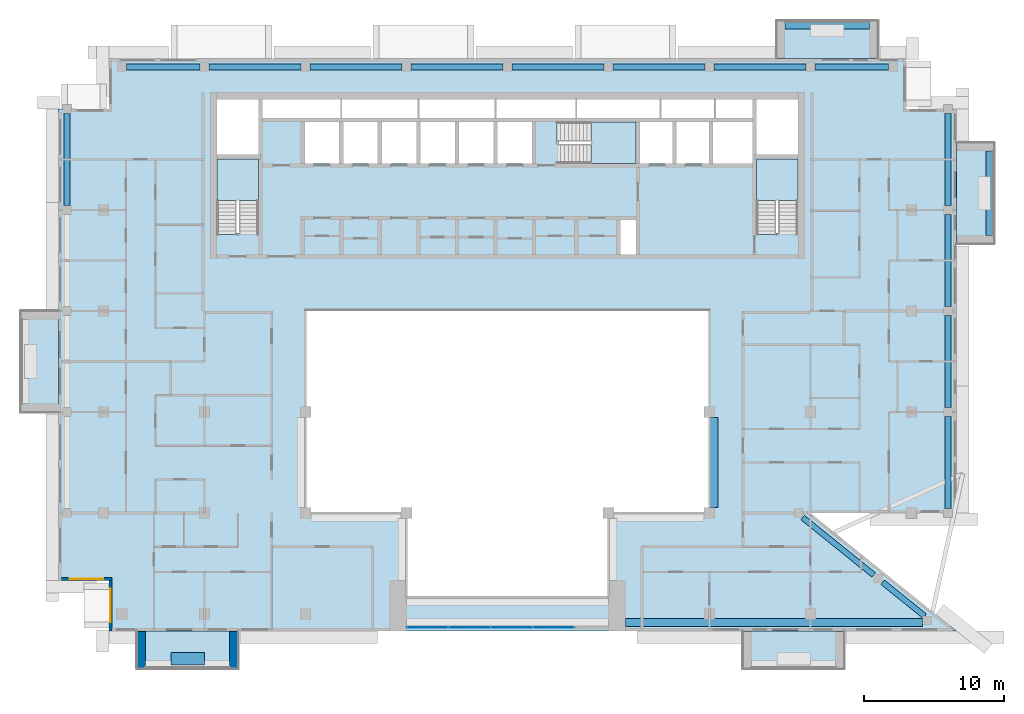
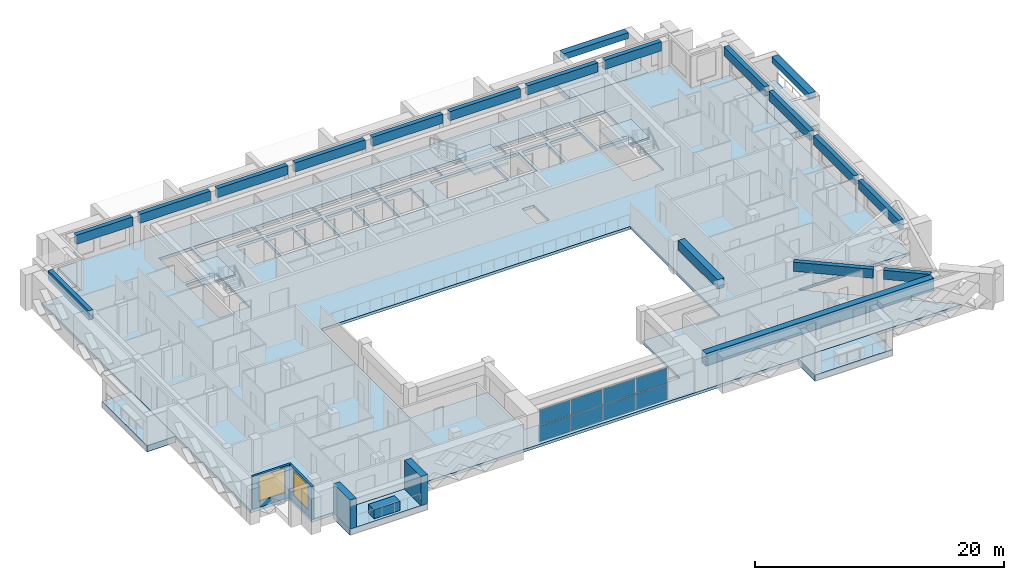
# One storey, part 5 of 19: 19 beams, 9 slabs, 8 plates, 5 walls, 2 windows, 2 openings, 4 elements without a shape of their own.
"""IFC4 building model written with IfcOpenShell, lengths in metres."""

from ifc_helpers import new_model, si_unit, direction, frame, frame_2d, origin, origin_2d, place, context, subcontext, project, spatial, polyline, rectangle, outline, extrude, source, transform, mapped, material, layer, layer_set, material_profile, profile_set, type_object, element, fill, aggregate, save


model = new_model("IFC4")

# Units and contexts
model_context = context("Model", 3, precision=1e-05, world=origin(), true_north=direction((0.0, 1.0)))
body_context = subcontext(model_context, "Body", "Model", "MODEL_VIEW")
ifc_project = project(units=[si_unit("LENGTHUNIT", "METRE"), si_unit("AREAUNIT", "SQUARE_METRE"), si_unit("VOLUMEUNIT", "CUBIC_METRE"), si_unit("PLANEANGLEUNIT", "RADIAN"), si_unit("MASSUNIT", "GRAM", prefix="KILO")], contexts=[model_context])

# Site, building, storey
site_placement = place(None, origin())
site = spatial("IfcSite", under=ifc_project, at=site_placement, CompositionType="ELEMENT")
building_placement = place(site_placement, origin())
building = spatial("IfcBuilding", under=site, at=building_placement, Name="Saffron Iwan Residences", CompositionType="ELEMENT")
storey_placement = place(building_placement, frame((0.0, 0.0, 236.0)))
storey = spatial("IfcBuildingStorey", under=building, at=storey_placement, Name="L63", CompositionType="ELEMENT", Elevation=236.0)

# Beams
ifc_material_1 = material(Name="Concrete C40/50", Category="concrete")
ifc_material_profile_1 = material_profile(ifc_material_1, rectangle(XDim=0.39990234375, YDim=0.89990234375, at=origin_2d()), Name="RC 400x900")
ifc_profile_set_1 = profile_set([ifc_material_profile_1], Name="Concrete C40/50")
beam_type_1 = type_object("IfcBeamType", Name="SPANDREL BEAM RC 400x900 C40/50 TOP 3220", PredefinedType="SPANDREL", material=ifc_profile_set_1)
shared_shape_1 = source(origin(), body_context, "Body", "SweptSolid", [
    extrude(rectangle(XDim=0.39990234375, YDim=0.89990234375, at=origin_2d()), origin(), (0.0, 0.0, 1.0), 3.839599609375),
])
beam_1_placement = place(storey_placement, frame((77.14794921875, 43.07080078125, 2.77001953125), z_axis=(0.777944766372, -0.628332667044, 0.0), x_axis=(0.628332667044, 0.777944766372, 0.0)))
element("IfcBeam", 1, at=beam_1_placement, inside=storey, type_object=beam_type_1, Name="Spandrel beam", PredefinedType="SPANDREL", context=body_context, shape_type="MappedRepresentation", body=[
    mapped(shared_shape_1, transform((0.0, 0.0, 0.0))),
])
shared_shape_2 = source(origin(), body_context, "Body", "SweptSolid", [
    extrude(rectangle(XDim=0.39990234375, YDim=0.89990234375, at=origin_2d()), origin(), (0.0, 0.0, 1.0), 6.4921875),
])
beam_2_placement = place(storey_placement, frame((71.447509765625, 47.675048828125, 2.77001953125), z_axis=(0.777936231257, -0.628343234305, 0.0), x_axis=(0.628343234305, 0.777936231257, 0.0)))
element("IfcBeam", 2, at=beam_2_placement, inside=storey, type_object=beam_type_1, Name="Spandrel beam", PredefinedType="SPANDREL", context=body_context, shape_type="MappedRepresentation", body=[
    mapped(shared_shape_2, transform((0.0, 0.0, 0.0))),
])
shared_shape_3 = source(origin(), body_context, "Body", "SweptSolid", [
    extrude(rectangle(XDim=0.39990234375, YDim=0.89990234375, at=origin_2d()), origin(), (0.0, 0.0, 1.0), 6.550048828125),
])
for number, where, z_axis, x_axis, name in (
    (3, (81.800048828125, 54.875, 2.77001953125), (0.0, -1.0, 0.0), (1.0, 0.0, 0.0), "Spandrel beam"),
    (4, (81.800048828125, 62.074951171875, 2.77001953125), (0.0, -1.0, 0.0), (1.0, 0.0, 0.0), "Spandrel beam"),
    (5, (19.0, 69.925048828125, 2.77001953125), (0.0, 1.0, 0.0), (-1.0, 0.0, 0.0), "Spandrel beam"),
    (6, (81.800048828125, 76.47509765625, 2.77001953125), (0.0, -1.0, 0.0), (1.0, 0.0, 0.0), "Spandrel beam"),
    (7, (29.125, 79.800048828125, 2.77001953125), (1.0, 0.0, 0.0), (0.0, 1.0, 0.0), "Spandrel beam"),
    (8, (36.324951171875, 79.800048828125, 2.77001953125), (1.0, 0.0, 0.0), (0.0, 1.0, 0.0), "Spandrel beam"),
    (9, (43.52490234375, 79.800048828125, 2.77001953125), (1.0, 0.0, 0.0), (0.0, 1.0, 0.0), "Spandrel beam"),
    (10, (57.925048828125, 79.800048828125, 2.77001953125), (1.0, 0.0, 0.0), (0.0, 1.0, 0.0), "Spandrel beam"),
    (11, (65.125, 79.800048828125, 2.77001953125), (1.0, 0.0, 0.0), (0.0, 1.0, 0.0), "Spandrel beam"),
):
    element("IfcBeam", number, at=place(storey_placement, frame(where, z_axis=z_axis, x_axis=x_axis)), inside=storey, type_object=beam_type_1, Name=name, PredefinedType="SPANDREL", context=body_context, shape_type="MappedRepresentation", body=[
        mapped(shared_shape_3, transform((0.0, 0.0, 0.0))),
    ])
shared_shape_4 = source(origin(), body_context, "Body", "SweptSolid", [
    extrude(rectangle(XDim=0.39990234375, YDim=0.89990234375, at=origin_2d()), origin(), (0.0, 0.0, 1.0), 6.5498046875),
])
for number, where, z_axis, x_axis, name in (
    (12, (81.800048828125, 69.27490234375, 2.77001953125), (0.0, -1.0, 0.0), (1.0, 0.0, 0.0), "Spandrel beam"),
    (13, (50.72509765625, 79.800048828125, 2.77001953125), (1.0, 0.0, 0.0), (0.0, 1.0, 0.0), "Spandrel beam"),
):
    element("IfcBeam", number, at=place(storey_placement, frame(where, z_axis=z_axis, x_axis=x_axis)), inside=storey, type_object=beam_type_1, Name=name, PredefinedType="SPANDREL", context=body_context, shape_type="MappedRepresentation", body=[
        mapped(shared_shape_4, transform((0.0, 0.0, 0.0))),
    ])
shared_shape_5 = source(origin(), body_context, "Body", "SweptSolid", [
    extrude(rectangle(XDim=0.39990234375, YDim=0.89990234375, at=origin_2d()), origin(), (0.0, 0.0, 1.0), 5.25),
])
for number, where, z_axis, x_axis, name in (
    (14, (23.22509765625, 79.800048828125, 2.77001953125), (1.0, 0.0, 0.0), (0.0, 1.0, 0.0), "Spandrel beam"),
    (15, (72.324951171875, 79.800048828125, 2.77001953125), (1.0, 0.0, 0.0), (0.0, 1.0, 0.0), "Spandrel beam"),
):
    element("IfcBeam", number, at=place(storey_placement, frame(where, z_axis=z_axis, x_axis=x_axis)), inside=storey, type_object=beam_type_1, Name=name, PredefinedType="SPANDREL", context=body_context, shape_type="MappedRepresentation", body=[
        mapped(shared_shape_5, transform((0.0, 0.0, 0.0))),
    ])
ifc_material_profile_2 = material_profile(ifc_material_1, rectangle(XDim=0.60009765625, YDim=1.199951171875, at=origin_2d()), Name="RC 600x1200")
ifc_profile_set_2 = profile_set([ifc_material_profile_2], Name="Concrete C40/50")
beam_type_2 = type_object("IfcBeamType", Name="LINTEL BEAM RC 600x1200 C40/50 TOP 3220", PredefinedType="LINTEL", material=ifc_profile_set_2)
shared_shape_6 = source(origin(), body_context, "Body", "SweptSolid", [
    extrude(rectangle(XDim=0.60009765625, YDim=1.199951171875, at=origin_2d()), origin(), (0.0, 0.0, 1.0), 21.20068359375),
])
beam_3_placement = place(storey_placement, frame((80.000732421875, 40.199951171875, 2.6201171875), z_axis=(-1.0, 0.0, 0.0), x_axis=(0.0, -1.0, 0.0)))
element("IfcBeam", 16, at=beam_3_placement, inside=storey, type_object=beam_type_2, Name="Lintel beam over the iwan", PredefinedType="LINTEL", context=body_context, shape_type="MappedRepresentation", body=[
    mapped(shared_shape_6, transform((0.0, 0.0, 0.0))),
])
ifc_material_profile_3 = material_profile(ifc_material_1, rectangle(XDim=0.60009765625, YDim=0.89990234375, at=origin_2d()), Name="RC 600x900")
ifc_profile_set_3 = profile_set([ifc_material_profile_3], Name="Concrete C40/50")
beam_type_3 = type_object("IfcBeamType", Name="BEAM RC 600x900 C40/50 TOP 3220", PredefinedType="BEAM", material=ifc_profile_set_3)
shared_shape_7 = source(origin(), body_context, "Body", "SweptSolid", [
    extrude(rectangle(XDim=0.60009765625, YDim=0.89990234375, at=origin_2d()), origin(), (0.0, 0.0, 1.0), 6.400146484375),
])
beam_4_placement = place(storey_placement, frame((65.10009765625, 54.800048828125, 2.77001953125), z_axis=(0.0, -1.0, 0.0), x_axis=(1.0, 0.0, 0.0)))
element("IfcBeam", 17, at=beam_4_placement, inside=storey, type_object=beam_type_3, Name="Atrium edge beam", PredefinedType="BEAM", context=body_context, shape_type="MappedRepresentation", body=[
    mapped(shared_shape_7, transform((0.0, 0.0, 0.0))),
])
ifc_material_2 = material(Name="Concrete C50/60 white painted", Category="concrete")
ifc_material_profile_4 = material_profile(ifc_material_2, rectangle(XDim=0.60009765625, YDim=0.60009765625, at=origin_2d()), Name="BALCONY FASCIA BEAM 600 x 600")
ifc_profile_set_4 = profile_set([ifc_material_profile_4], Name="Concrete C50/60 white painted")
beam_type_4 = type_object("IfcBeamType", Name="BALCONY FASCIA BEAM 600 x 600", PredefinedType="BEAM", material=ifc_profile_set_4)
shared_shape_8 = source(origin(), body_context, "Body", "SweptSolid", [
    extrude(rectangle(XDim=0.60009765625, YDim=0.60009765625, at=origin_2d()), origin(), (0.0, 0.0, 1.0), 6.0),
])
for number, where, z_axis, x_axis, name in (
    (18, (84.800048828125, 67.800048828125, 2.550048828125), (0.0, 1.0, 0.0), (-1.0, 0.0, 0.0), "Balcony fascia beam L63 F2-1"),
    (19, (76.199951171875, 82.800048828125, 2.550048828125), (-1.0, 0.0, 0.0), (0.0, -1.0, 0.0), "Balcony fascia beam L63 F5-0"),
):
    element("IfcBeam", number, at=place(storey_placement, frame(where, z_axis=z_axis, x_axis=x_axis)), inside=storey, type_object=beam_type_4, Name=name, PredefinedType="BEAM", context=body_context, shape_type="MappedRepresentation", body=[
        mapped(shared_shape_8, transform((0.0, 0.0, 0.0))),
    ])

# Slabs
ifc_layer_1 = layer(ifc_material_2, 0.60009765625)
ifc_layer_set_1 = layer_set([ifc_layer_1], Name="Concrete C50/60 white painted")
slab_type_1 = type_object("IfcSlabType", Name="BALCONY FRAME SLAB 600", PredefinedType="FLOOR", material=ifc_layer_set_1)
slab_1_placement = place(storey_placement, frame((0.0, 0.0, -0.60009765625)))
element("IfcSlab", 20, at=slab_1_placement, inside=storey, type_object=slab_type_1, Name="Balcony frame slab L63 F2-1", PredefinedType="FLOOR", context=body_context, shape_type="SweptSolid", body=[
    extrude(outline(polyline([(85.10009765625, 67.199951171875), (85.10009765625, 74.39990234375), (82.39990234375, 74.39990234375), (82.39990234375, 67.199951171875), (85.10009765625, 67.199951171875)])), origin(), (0.0, 0.0, 1.0), 0.60009765625),
])
slab_2_placement = place(storey_placement, frame((0.0, 0.0, -0.60009765625)))
element("IfcSlab", 21, at=slab_2_placement, inside=storey, type_object=slab_type_1, Name="Balcony frame slab L63 F5-0", PredefinedType="FLOOR", context=body_context, shape_type="SweptSolid", body=[
    extrude(outline(polyline([(76.800048828125, 83.10009765625), (69.60009765625, 83.10009765625), (69.60009765625, 80.39990234375), (76.800048828125, 80.39990234375), (76.800048828125, 83.10009765625)])), origin(), (0.0, 0.0, 1.0), 0.60009765625),
])
slab_3_placement = place(storey_placement, frame((0.0, 0.0, -0.60009765625)))
element("IfcSlab", 22, at=slab_3_placement, inside=storey, type_object=slab_type_1, Name="Balcony frame slab L63 F8-0", PredefinedType="FLOOR", context=body_context, shape_type="SweptSolid", body=[
    extrude(outline(polyline([(15.699951171875, 62.39990234375), (15.699951171875, 55.199951171875), (18.39990234375, 55.199951171875), (18.39990234375, 62.39990234375), (15.699951171875, 62.39990234375)])), origin(), (0.0, 0.0, 1.0), 0.60009765625),
])
slab_4_placement = place(storey_placement, frame((0.0, 0.0, -0.60009765625)))
element("IfcSlab", 23, at=slab_4_placement, inside=storey, type_object=slab_type_1, Name="Balcony frame slab L63 11-0", PredefinedType="FLOOR", context=body_context, shape_type="SweptSolid", body=[
    extrude(outline(polyline([(24.0, 36.89990234375), (31.199951171875, 36.89990234375), (31.199951171875, 39.60009765625), (24.0, 39.60009765625), (24.0, 36.89990234375)])), origin(), (0.0, 0.0, 1.0), 0.60009765625),
])
slab_5_placement = place(storey_placement, frame((0.0, 0.0, -0.60009765625)))
element("IfcSlab", 24, at=slab_5_placement, inside=storey, type_object=slab_type_1, Name="Balcony frame slab L63 11-1", PredefinedType="FLOOR", context=body_context, shape_type="SweptSolid", body=[
    extrude(outline(polyline([(67.199951171875, 36.89990234375), (74.39990234375, 36.89990234375), (74.39990234375, 39.60009765625), (67.199951171875, 39.60009765625), (67.199951171875, 36.89990234375)])), origin(), (0.0, 0.0, 1.0), 0.60009765625),
])
ifc_layer_2 = layer(ifc_material_1, 0.280029296875)
ifc_layer_set_2 = layer_set([ifc_layer_2], Name="Concrete C40/50")
slab_type_2 = type_object("IfcSlabType", Name="PT PLATE 280 C40/50", PredefinedType="FLOOR", material=ifc_layer_set_2)
slab_6_placement = place(storey_placement, frame((0.0, 0.0, -0.280029296875)))
element("IfcSlab", 25, at=slab_6_placement, inside=storey, type_object=slab_type_2, Name="Floor slab L63", PredefinedType="FLOOR", context=body_context, shape_type="SweptSolid", body=[
    extrude(outline(polyline([(18.39990234375, 43.199951171875), (18.39990234375, 76.800048828125), (22.0, 76.800048828125), (22.0, 80.39990234375), (78.800048828125, 80.39990234375), (78.800048828125, 76.800048828125), (82.39990234375, 76.800048828125), (82.39990234375, 48.0), (72.0, 48.0), (82.39990234375, 39.60009765625), (22.0, 39.60009765625), (22.0, 43.199951171875), (18.39990234375, 43.199951171875)]), holes=[polyline([(64.800048828125, 48.0), (64.800048828125, 62.39990234375), (36.0, 62.39990234375), (36.0, 48.0), (43.199951171875, 48.0), (43.199951171875, 42.0), (57.60009765625, 42.0), (57.60009765625, 48.0), (64.800048828125, 48.0)]), polyline([(29.699951171875, 73.25), (29.699951171875, 67.949951171875), (29.699951171875, 67.8505859375), (31.10009765625, 67.8505859375), (31.10009765625, 67.949951171875), (32.64990234375, 67.949951171875), (32.64990234375, 73.25), (29.699951171875, 73.25)]), polyline([(38.39990234375, 75.875), (35.949951171875, 75.875), (35.949951171875, 72.925048828125), (38.39990234375, 72.925048828125), (38.39990234375, 75.875)]), polyline([(41.14990234375, 75.875), (38.699951171875, 75.875), (38.699951171875, 72.925048828125), (41.14990234375, 72.925048828125), (41.14990234375, 75.875)]), polyline([(43.89990234375, 72.925048828125), (43.89990234375, 75.875), (41.449951171875, 75.875), (41.449951171875, 72.925048828125), (43.89990234375, 72.925048828125)]), polyline([(46.64990234375, 72.925048828125), (46.64990234375, 75.875), (44.199951171875, 75.875), (44.199951171875, 72.925048828125), (46.64990234375, 72.925048828125)]), polyline([(49.39990234375, 75.875), (46.949951171875, 75.875), (46.949951171875, 72.925048828125), (49.39990234375, 72.925048828125), (49.39990234375, 75.875)]), polyline([(52.14990234375, 72.925048828125), (52.14990234375, 75.875), (49.699951171875, 75.875), (49.699951171875, 72.925048828125), (52.14990234375, 72.925048828125)]), polyline([(32.64990234375, 73.550048828125), (32.64990234375, 77.5), (29.699951171875, 77.5), (29.699951171875, 73.550048828125), (32.64990234375, 73.550048828125)]), polyline([(38.5, 77.5), (32.949951171875, 77.5), (32.949951171875, 76.175048828125), (38.5, 76.175048828125), (38.5, 77.5)]), polyline([(44.0, 76.175048828125), (44.0, 77.5), (38.60009765625, 77.5), (38.60009765625, 76.175048828125), (44.0, 76.175048828125)]), polyline([(49.5, 76.175048828125), (49.5, 77.5), (44.10009765625, 77.5), (44.10009765625, 76.175048828125), (49.5, 76.175048828125)]), polyline([(59.550048828125, 68.875), (58.449951171875, 68.875), (58.449951171875, 66.449951171875), (59.550048828125, 66.449951171875), (59.550048828125, 68.875)]), polyline([(68.14990234375, 73.25), (68.14990234375, 67.949951171875), (68.14990234375, 67.8505859375), (69.550048828125, 67.8505859375), (69.550048828125, 67.949951171875), (71.10009765625, 67.949951171875), (71.10009765625, 73.25), (68.14990234375, 73.25)]), polyline([(54.02490234375, 74.47509765625), (54.02490234375, 72.925048828125), (59.550048828125, 72.925048828125), (59.550048828125, 75.875), (54.02490234375, 75.875), (53.925537109375, 75.875), (53.925537109375, 74.47509765625), (54.02490234375, 74.47509765625)]), polyline([(62.14990234375, 72.925048828125), (62.14990234375, 75.875), (59.85009765625, 75.875), (59.85009765625, 72.925048828125), (62.14990234375, 72.925048828125)]), polyline([(64.75, 72.925048828125), (64.75, 75.875), (62.449951171875, 75.875), (62.449951171875, 72.925048828125), (64.75, 72.925048828125)]), polyline([(67.85009765625, 75.875), (65.050048828125, 75.875), (65.050048828125, 72.925048828125), (67.85009765625, 72.925048828125), (67.85009765625, 75.875)]), polyline([(71.10009765625, 73.550048828125), (71.10009765625, 77.5), (68.14990234375, 77.5), (68.14990234375, 73.550048828125), (71.10009765625, 73.550048828125)]), polyline([(55.25, 76.175048828125), (55.25, 77.5), (49.60009765625, 77.5), (49.60009765625, 76.175048828125), (55.25, 76.175048828125)]), polyline([(61.25, 77.5), (55.35009765625, 77.5), (55.35009765625, 76.175048828125), (61.25, 76.175048828125), (61.25, 77.5)]), polyline([(65.14990234375, 76.175048828125), (65.14990234375, 77.5), (61.35009765625, 77.5), (61.35009765625, 76.175048828125), (65.14990234375, 76.175048828125)]), polyline([(67.85009765625, 76.175048828125), (67.85009765625, 77.5), (65.25, 77.5), (65.25, 76.175048828125), (67.85009765625, 76.175048828125)])]), origin(), (0.0, 0.0, 1.0), 0.280029296875),
])

# Stair, slab
ifc_material_3 = material(Name="Concrete C50/60", Category="concrete")
stair_type = type_object("IfcStairType", Name="Stair ST-CORE", PredefinedType="HALF_TURN_STAIR", material=ifc_material_3)
stair_1_placement = place(storey_placement, origin())
stair_1 = element("IfcStair", 26, at=stair_1_placement, inside=storey, type_object=stair_type, Name="L63 Exit Stair ST-W", PredefinedType="HALF_TURN_STAIR")
ifc_layer_3 = layer(ifc_material_3, 0.199951171875)
ifc_layer_set_3 = layer_set([ifc_layer_3], Name="Concrete C50/60")
slab_type_3 = type_object("IfcSlabType", Name="Stair landing SL-RC", PredefinedType="LANDING", material=ifc_layer_set_3)
slab_7_placement = place(storey_placement, frame((0.0, 0.0, 1.5498046875)))
slab_7 = element("IfcSlab", 27, at=slab_7_placement, type_object=slab_type_3, Name="ST-W landing 1", PredefinedType="LANDING", context=body_context, shape_type="SweptSolid", body=[
    extrude(outline(polyline([(32.64990234375, 70.280029296875), (32.64990234375, 73.25), (29.699951171875, 73.25), (29.699951171875, 70.280029296875), (32.64990234375, 70.280029296875)])), origin(), (0.0, 0.0, 1.0), 0.2001953125),
])
aggregate(stair_1, [slab_7])

stair_2_placement = place(storey_placement, origin())
stair_2 = element("IfcStair", 28, at=stair_2_placement, inside=storey, type_object=stair_type, Name="L63 Exit Stair ST-C", PredefinedType="HALF_TURN_STAIR")
slab_8_placement = place(storey_placement, frame((0.0, 0.0, 1.5498046875)))
slab_8 = element("IfcSlab", 29, at=slab_8_placement, type_object=slab_type_3, Name="ST-C landing 1", PredefinedType="LANDING", context=body_context, shape_type="SweptSolid", body=[
    extrude(outline(polyline([(56.35498046875, 72.925048828125), (59.550048828125, 72.925048828125), (59.550048828125, 75.875), (56.35498046875, 75.875), (56.35498046875, 72.925048828125)])), origin(), (0.0, 0.0, 1.0), 0.2001953125),
])
aggregate(stair_2, [slab_8])

stair_3_placement = place(storey_placement, origin())
stair_3 = element("IfcStair", 30, at=stair_3_placement, inside=storey, type_object=stair_type, Name="L63 Exit Stair ST-E", PredefinedType="HALF_TURN_STAIR")
slab_9_placement = place(storey_placement, frame((0.0, 0.0, 1.5498046875)))
slab_9 = element("IfcSlab", 31, at=slab_9_placement, type_object=slab_type_3, Name="ST-E landing 1", PredefinedType="LANDING", context=body_context, shape_type="SweptSolid", body=[
    extrude(outline(polyline([(71.10009765625, 70.280029296875), (71.10009765625, 73.25), (68.14990234375, 73.25), (68.14990234375, 70.280029296875), (71.10009765625, 70.280029296875)])), origin(), (0.0, 0.0, 1.0), 0.2001953125),
])
aggregate(stair_3, [slab_9])

# Curtain wall, plates
ifc_material_4 = material(Name="Clear glass, laminated double glazed", Category="glass")
ifc_layer_4 = layer(ifc_material_4, 0.199951171875)
ifc_layer_set_4 = layer_set([ifc_layer_4], Name="Clear glass, laminated double glazed")
curtain_wall_type = type_object("IfcCurtainWallType", Name="CW-B IWAN PORTAL", PredefinedType="NOTDEFINED", material=ifc_layer_set_4)
curtain_wall_placement = place(storey_placement, origin())
curtain_wall = element("IfcCurtainWall", 32, at=curtain_wall_placement, inside=storey, type_object=curtain_wall_type, Name="Iwan portal glazing L63.1", PredefinedType="NOTDEFINED")
ifc_layer_5 = layer(ifc_material_4, 0.028076171875)
ifc_layer_set_5 = layer_set([ifc_layer_5], Name="Clear glass, laminated double glazed")
plate_type = type_object("IfcPlateType", Name="CW-B PANEL 28", PredefinedType="CURTAIN_PANEL", material=ifc_layer_set_5)
shared_shape_9 = source(origin(), body_context, "Body", "SweptSolid", [
    extrude(rectangle(XDim=2.909912109375, YDim=0.028076171875, at=origin_2d()), origin(), (0.0, 0.0, 1.0), 1.52001953125),
])
plate_1_placement = place(storey_placement, frame((44.715087890625, 39.85009765625, 0.06005859375), z_axis=(0.0, 0.0, 1.0), x_axis=(1.0, 0.0, 0.0)))
plate_1 = element("IfcPlate", 33, at=plate_1_placement, type_object=plate_type, Name="CW-B panel 1.1", PredefinedType="CURTAIN_PANEL", context=body_context, shape_type="MappedRepresentation", body=[
    mapped(shared_shape_9, transform((0.0, 0.0, 0.0))),
])
plate_2_placement = place(storey_placement, frame((44.715087890625, 39.85009765625, 1.639892578125), z_axis=(0.0, 0.0, 1.0), x_axis=(1.0, 0.0, 0.0)))
plate_2 = element("IfcPlate", 34, at=plate_2_placement, type_object=plate_type, Name="CW-B panel 1.2", PredefinedType="CURTAIN_PANEL", context=body_context, shape_type="MappedRepresentation", body=[
    mapped(shared_shape_9, transform((0.0, 0.0, 0.0))),
])
plate_3_placement = place(storey_placement, frame((53.68505859375, 39.85009765625, 0.06005859375), z_axis=(0.0, 0.0, 1.0), x_axis=(1.0, 0.0, 0.0)))
plate_3 = element("IfcPlate", 35, at=plate_3_placement, type_object=plate_type, Name="CW-B panel 4.1", PredefinedType="CURTAIN_PANEL", context=body_context, shape_type="MappedRepresentation", body=[
    mapped(shared_shape_9, transform((0.0, 0.0, 0.0))),
])
plate_4_placement = place(storey_placement, frame((53.68505859375, 39.85009765625, 1.639892578125), z_axis=(0.0, 0.0, 1.0), x_axis=(1.0, 0.0, 0.0)))
plate_4 = element("IfcPlate", 36, at=plate_4_placement, type_object=plate_type, Name="CW-B panel 4.2", PredefinedType="CURTAIN_PANEL", context=body_context, shape_type="MappedRepresentation", body=[
    mapped(shared_shape_9, transform((0.0, 0.0, 0.0))),
])
shared_shape_10 = source(origin(), body_context, "Body", "SweptSolid", [
    extrude(rectangle(XDim=2.93994140625, YDim=0.028076171875, at=origin_2d()), origin(), (0.0, 0.0, 1.0), 1.52001953125),
])
plate_5_placement = place(storey_placement, frame((47.699951171875, 39.85009765625, 0.06005859375), z_axis=(0.0, 0.0, 1.0), x_axis=(1.0, 0.0, 0.0)))
plate_5 = element("IfcPlate", 37, at=plate_5_placement, type_object=plate_type, Name="CW-B panel 2.1", PredefinedType="CURTAIN_PANEL", context=body_context, shape_type="MappedRepresentation", body=[
    mapped(shared_shape_10, transform((0.0, 0.0, 0.0))),
])
plate_6_placement = place(storey_placement, frame((47.699951171875, 39.85009765625, 1.639892578125), z_axis=(0.0, 0.0, 1.0), x_axis=(1.0, 0.0, 0.0)))
plate_6 = element("IfcPlate", 38, at=plate_6_placement, type_object=plate_type, Name="CW-B panel 2.2", PredefinedType="CURTAIN_PANEL", context=body_context, shape_type="MappedRepresentation", body=[
    mapped(shared_shape_10, transform((0.0, 0.0, 0.0))),
])
plate_7_placement = place(storey_placement, frame((50.699951171875, 39.85009765625, 0.06005859375), z_axis=(0.0, 0.0, 1.0), x_axis=(1.0, 0.0, 0.0)))
plate_7 = element("IfcPlate", 39, at=plate_7_placement, type_object=plate_type, Name="CW-B panel 3.1", PredefinedType="CURTAIN_PANEL", context=body_context, shape_type="MappedRepresentation", body=[
    mapped(shared_shape_10, transform((0.0, 0.0, 0.0))),
])
plate_8_placement = place(storey_placement, frame((50.699951171875, 39.85009765625, 1.639892578125), z_axis=(0.0, 0.0, 1.0), x_axis=(1.0, 0.0, 0.0)))
plate_8 = element("IfcPlate", 40, at=plate_8_placement, type_object=plate_type, Name="CW-B panel 3.2", PredefinedType="CURTAIN_PANEL", context=body_context, shape_type="MappedRepresentation", body=[
    mapped(shared_shape_10, transform((0.0, 0.0, 0.0))),
])
aggregate(curtain_wall, [plate_1, plate_2, plate_5, plate_6, plate_7, plate_8, plate_3, plate_4])

# Walls
ifc_layer_6 = layer(ifc_material_2, 0.60009765625)
ifc_layer_set_6 = layer_set([ifc_layer_6], Name="Concrete C50/60 white painted")
wall_type_1 = type_object("IfcWallType", Name="BALCONY FIN 600", PredefinedType="SOLIDWALL", material=ifc_layer_set_6)
for number, where, z_axis, x_axis, name in (
    (41, (24.300048828125, 39.550048828125, 0.0), (0.0, 0.0, 1.0), (0.0, -1.0, 0.0), "Balcony fin L63 11-0a"),
    (42, (30.89990234375, 39.550048828125, 0.0), (0.0, 0.0, 1.0), (0.0, -1.0, 0.0), "Balcony fin L63 11-0b"),
):
    element("IfcWall", number, at=place(storey_placement, frame(where, z_axis=z_axis, x_axis=x_axis)), inside=storey, type_object=wall_type_1, Name=name, PredefinedType="SOLIDWALL", context=body_context, shape_type="SweptSolid", body=[
        extrude(rectangle(XDim=2.650146484375, YDim=0.60009765625, at=frame_2d((1.3251953125, 0.0))), origin(), (0.0, 0.0, 1.0), 2.85009765625),
    ])
ifc_material_5 = material(Name="Concrete C35/45 white painted", Category="concrete")
ifc_layer_7 = layer(ifc_material_5, 0.14990234375)
ifc_layer_set_7 = layer_set([ifc_layer_7], Name="Concrete C35/45 white painted")
wall_type_2 = type_object("IfcWallType", Name="BALCONY PLANTER", PredefinedType="SOLIDWALL", material=ifc_layer_set_7)
wall_1_placement = place(storey_placement, frame((26.39990234375, 37.625, 0.0), z_axis=(0.0, 0.0, 1.0), x_axis=(1.0, 0.0, 0.0)))
element("IfcWall", 43, at=wall_1_placement, inside=storey, type_object=wall_type_2, Name="PLANTER L63 11-0", PredefinedType="SOLIDWALL", context=body_context, shape_type="SweptSolid", body=[
    extrude(rectangle(XDim=2.400146484375, YDim=0.89990234375, at=frame_2d((1.2001953125, 0.0))), origin(), (0.0, 0.0, 1.0), 0.89990234375),
])

# Wall, opening, window
ifc_layer_8 = layer(ifc_material_1, 0.199951171875)
ifc_layer_set_8 = layer_set([ifc_layer_8], Name="Concrete C40/50")
wall_type_3 = type_object("IfcWallType", Name="EXTERNAL WALL 200", PredefinedType="SOLIDWALL", material=ifc_layer_set_8)
wall_2_placement = place(storey_placement, frame((18.60009765625, 43.300048828125, 0.0), z_axis=(0.0, 0.0, 1.0), x_axis=(1.0, 0.0, 0.0)))
wall_2 = element("IfcWall", 44, at=wall_2_placement, inside=storey, type_object=wall_type_3, Name="External wall L63 F9.0", PredefinedType="SOLIDWALL", context=body_context, shape_type="SweptSolid", body=[
    extrude(rectangle(XDim=3.599853515625, YDim=0.199951171875, at=frame_2d((1.7998046875, 0.0))), origin(), (0.0, 0.0, 1.0), 3.219970703125),
])
opening_1_placement = place(wall_2_placement, frame((0.60009765625, 0.0, 0.60009765625)))
opening_1 = element("IfcOpeningElement", 45, at=opening_1_placement, cuts=wall_2, Name="Opening W1", PredefinedType="OPENING", context=body_context, shape_type="SweptSolid", body=[
    extrude(rectangle(XDim=2.39990234375, YDim=2.39990234375, at=frame_2d((1.199951171875, 1.199951171875))), frame((0.0, 0.10986328125, 0.0), z_axis=(0.0, -1.0, 0.0), x_axis=(1.0, 0.0, 0.0)), (0.0, 0.0, 1.0), 0.219970703125),
])
window_type = type_object("IfcWindowType", Name="WINDOW 2400 x 2400", PartitioningType="DOUBLE_PANEL_VERTICAL", PredefinedType="WINDOW", material=ifc_material_4)
window_1_placement = place(opening_1_placement, origin())
window_1 = element("IfcWindow", 46, at=window_1_placement, inside=storey, type_object=window_type, Name="Window L63 F9.0", OverallHeight=2.39990234375, OverallWidth=2.39990234375, PartitioningType="DOUBLE_PANEL_VERTICAL", PredefinedType="WINDOW", context=body_context, shape_type="SweptSolid", body=[
    extrude(rectangle(XDim=2.39990234375, YDim=2.39990234375, at=frame_2d((1.199951171875, 1.199951171875))), frame((0.0, 0.030029296875, 0.0), z_axis=(0.0, -1.0, 0.0), x_axis=(1.0, 0.0, 0.0)), (0.0, 0.0, 1.0), 0.06005859375),
])
fill(opening_1, window_1)

wall_3_placement = place(storey_placement, frame((22.10009765625, 43.199951171875, 0.0), z_axis=(0.0, 0.0, 1.0), x_axis=(0.0, -1.0, 0.0)))
wall_3 = element("IfcWall", 47, at=wall_3_placement, inside=storey, type_object=wall_type_3, Name="External wall L63 F10.0", PredefinedType="SOLIDWALL", context=body_context, shape_type="SweptSolid", body=[
    extrude(rectangle(XDim=3.599853515625, YDim=0.199951171875, at=frame_2d((1.7998046875, 0.0))), origin(), (0.0, 0.0, 1.0), 3.219970703125),
])
opening_2_placement = place(wall_3_placement, frame((0.60009765625, 0.0, 0.60009765625)))
opening_2 = element("IfcOpeningElement", 48, at=opening_2_placement, cuts=wall_3, Name="Opening W1", PredefinedType="OPENING", context=body_context, shape_type="SweptSolid", body=[
    extrude(rectangle(XDim=2.39990234375, YDim=2.39990234375, at=frame_2d((1.199951171875, 1.199951171875))), frame((0.0, 0.10986328125, 0.0), z_axis=(0.0, -1.0, 0.0), x_axis=(1.0, 0.0, 0.0)), (0.0, 0.0, 1.0), 0.219970703125),
])
window_2_placement = place(opening_2_placement, origin())
window_2 = element("IfcWindow", 49, at=window_2_placement, inside=storey, type_object=window_type, Name="Window L63 F10.0", OverallHeight=2.39990234375, OverallWidth=2.39990234375, PartitioningType="DOUBLE_PANEL_VERTICAL", PredefinedType="WINDOW", context=body_context, shape_type="SweptSolid", body=[
    extrude(rectangle(XDim=2.39990234375, YDim=2.39990234375, at=frame_2d((1.199951171875, 1.199951171875))), frame((0.0, 0.030029296875, 0.0), z_axis=(0.0, -1.0, 0.0), x_axis=(1.0, 0.0, 0.0)), (0.0, 0.0, 1.0), 0.06005859375),
])
fill(opening_2, window_2)

save(model, "model.ifc")
